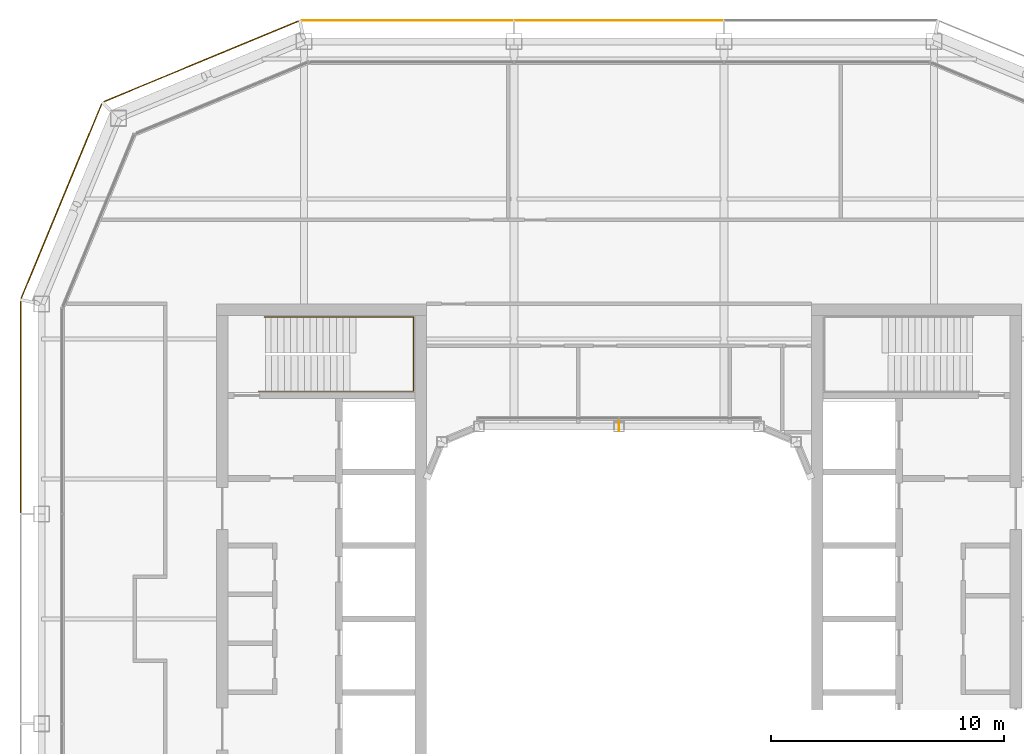
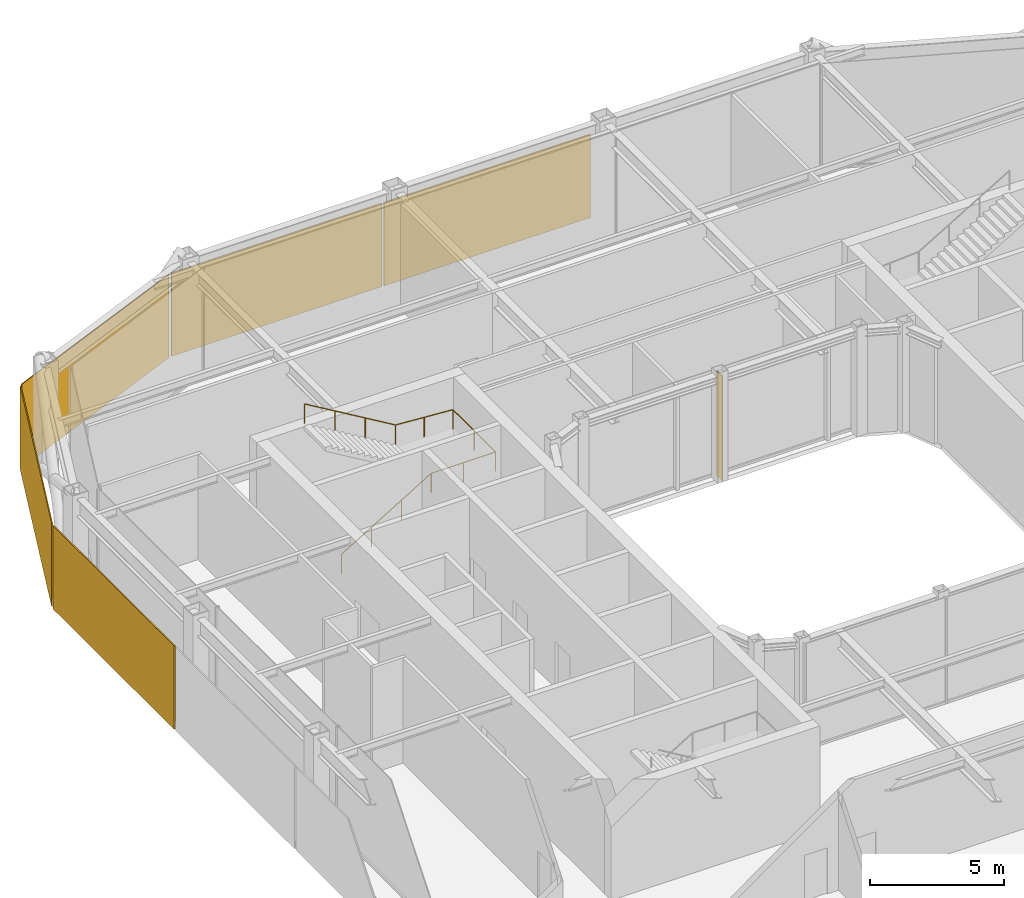
# One storey, part 16 of 17: 5 coverings, 1 railing, 1 shading device.
"""IFC4 building model written with IfcOpenShell, lengths in metres."""

from ifc_helpers import new_model, si_unit, direction, frame, origin, origin_2d, place, context, subcontext, project, spatial, rectangle, circle, extrude, material, layer, layer_set, type_object, element, save


model = new_model("IFC4")

# Units and contexts
model_context = context("Model", 3, precision=1e-05, world=origin(), true_north=direction((0.0, 1.0)))
body_context = subcontext(model_context, "Body", "Model", "MODEL_VIEW")
ifc_project = project(units=[si_unit("LENGTHUNIT", "METRE"), si_unit("AREAUNIT", "SQUARE_METRE"), si_unit("VOLUMEUNIT", "CUBIC_METRE"), si_unit("PLANEANGLEUNIT", "RADIAN"), si_unit("MASSUNIT", "GRAM", prefix="KILO")], contexts=[model_context])

# Site, building, storey
site_placement = place(None, origin())
site = spatial("IfcSite", under=ifc_project, at=site_placement, CompositionType="ELEMENT")
building_placement = place(site_placement, origin())
building = spatial("IfcBuilding", under=site, at=building_placement, Name="Siwar Civic Tower", CompositionType="ELEMENT")
storey_placement = place(building_placement, frame((0.0, 0.0, 348.199951171875)))
storey = spatial("IfcBuildingStorey", under=building, at=storey_placement, Name="L75", CompositionType="ELEMENT", Elevation=348.199951171875)

# Railing
ifc_material_1 = material(Name="Stainless steel", Category="steel")
railing_type = type_object("IfcRailingType", Name="CORE-STAIR-HANDRAIL", PredefinedType="HANDRAIL", material=ifc_material_1)
railing_placement = place(storey_placement, frame((-15.449951171875, 9.758056640625, 0.166748046875)))
element("IfcRailing", 1, at=railing_placement, inside=storey, type_object=railing_type, Name="Stair handrail ST1", PredefinedType="HANDRAIL", context=body_context, shape_type="SweptSolid", body=[
    extrude(circle(Radius=0.02001953125, at=origin_2d()), frame((0.0, 0.0, 0.8798828125), z_axis=(0.856384976194, 0.0, 0.516337847296), x_axis=(0.0, 1.0, 0.0)), (0.0, 0.0, 1.0), 4.518798828125),
    extrude(circle(Radius=0.02001953125, at=origin_2d()), frame((3.869873046875, 0.0, 3.213134765625), z_axis=(1.0, 0.0, 0.0), x_axis=(0.0, 1.0, 0.0)), (0.0, 0.0, 1.0), 2.77197265625),
    extrude(circle(Radius=0.02001953125, at=origin_2d()), frame((6.641845703125, 0.0, 3.213134765625), z_axis=(0.0, 1.0, 0.0), x_axis=(-1.0, 0.0, 0.0)), (0.0, 0.0, 1.0), 3.183837890625),
    extrude(circle(Radius=0.02001953125, at=origin_2d()), frame((6.641845703125, 3.183837890625, 3.213134765625), z_axis=(-0.997732526271, 0.0, 0.067303833624), x_axis=(0.0, -1.0, 0.0)), (0.0, 0.0, 1.0), 2.4775390625),
    extrude(circle(Radius=0.02001953125, at=origin_2d()), frame((4.169921875, 3.183837890625, 3.3798828125), z_axis=(-0.859296244711, 0.0, 0.511478214419), x_axis=(0.0, -1.0, 0.0)), (0.0, 0.0, 1.0), 4.561767578125),
    extrude(circle(Radius=0.02001953125, at=origin_2d()), origin(), (0.0, 0.0, 1.0), 0.85986328125),
    extrude(circle(Radius=0.02001953125, at=origin_2d()), frame((1.2900390625, 0.0, 0.77783203125)), (0.0, 0.0, 1.0), 0.85986328125),
    extrude(circle(Radius=0.02001953125, at=origin_2d()), frame((2.579833984375, 0.0, 1.555419921875)), (0.0, 0.0, 1.0), 0.85986328125),
    extrude(circle(Radius=0.02001953125, at=origin_2d()), frame((3.869873046875, 0.0, 2.333251953125)), (0.0, 0.0, 1.0), 0.85986328125),
    extrude(circle(Radius=0.02001953125, at=origin_2d()), frame((5.255859375, 0.0, 2.333251953125)), (0.0, 0.0, 1.0), 0.85986328125),
    extrude(circle(Radius=0.02001953125, at=origin_2d()), frame((6.641845703125, 0.0, 2.333251953125)), (0.0, 0.0, 1.0), 0.85986328125),
    extrude(circle(Radius=0.02001953125, at=origin_2d()), frame((6.641845703125, 1.591796875, 2.333251953125)), (0.0, 0.0, 1.0), 0.85986328125),
    extrude(circle(Radius=0.02001953125, at=origin_2d()), frame((6.641845703125, 3.183837890625, 2.333251953125)), (0.0, 0.0, 1.0), 0.85986328125),
    extrude(circle(Radius=0.02001953125, at=origin_2d()), frame((5.40576171875, 3.183837890625, 2.41650390625)), (0.0, 0.0, 1.0), 0.85986328125),
    extrude(circle(Radius=0.02001953125, at=origin_2d()), frame((4.169921875, 3.183837890625, 2.5)), (0.0, 0.0, 1.0), 0.85986328125),
    extrude(circle(Radius=0.02001953125, at=origin_2d()), frame((2.86328125, 3.183837890625, 3.27783203125)), (0.0, 0.0, 1.0), 0.85986328125),
    extrude(circle(Radius=0.02001953125, at=origin_2d()), frame((1.556640625, 3.183837890625, 4.055419921875)), (0.0, 0.0, 1.0), 0.85986328125),
    extrude(circle(Radius=0.02001953125, at=origin_2d()), frame((0.25, 3.183837890625, 4.833251953125)), (0.0, 0.0, 1.0), 0.85986328125),
])

# Shading device
ifc_material_2 = material(Name="Aluminium 6063-T6", Category="aluminium")
ifc_layer_1 = layer(ifc_material_2, 0.02001953125)
ifc_layer_set_1 = layer_set([ifc_layer_1], Name="Aluminium 6063-T6")
shading_device_type = type_object("IfcShadingDeviceType", Name="ENV-FIN", PredefinedType="JALOUSIE", material=ifc_layer_set_1)
shading_device_placement = place(storey_placement, frame((0.0, 8.27001953125, 0.0), z_axis=(0.0, 0.0, 1.0), x_axis=(-1.0, 0.0, 0.0)))
element("IfcShadingDevice", 2, at=shading_device_placement, inside=storey, type_object=shading_device_type, Name="SUNSHADE fin WN 1", PredefinedType="JALOUSIE", context=body_context, shape_type="SweptSolid", body=[
    extrude(rectangle(XDim=0.02001953125, YDim=0.449951171875, at=origin_2d()), origin(), (0.0, 0.0, 1.0), 4.800048828125),
])

# Coverings
ifc_material_3 = material(Name="Perforated aluminium cassette, pale metal", Category="aluminium")
ifc_layer_2 = layer(ifc_material_3, 0.0400390625)
ifc_layer_set_2 = layer_set([ifc_layer_2], Name="Perforated aluminium cassette, pale metal")
covering_type_1 = type_object("IfcCoveringType", Name="ENV-OUTER SKIN OS-1", PredefinedType="CLADDING", material=ifc_layer_set_2)
covering_1_placement = place(storey_placement, frame((0.0, 25.64990234375, -0.2001953125), z_axis=(0.0, 0.0, 1.0), x_axis=(-1.0, 0.0, 0.0)))
element("IfcCovering", 3, at=covering_1_placement, inside=storey, type_object=covering_type_1, Name="OUTER SKIN OS-1 N 2", PredefinedType="CLADDING", context=body_context, shape_type="SweptSolid", body=[
    extrude(rectangle(XDim=8.89990234375, YDim=0.0400390625, at=origin_2d()), origin(), (0.0, 0.0, 1.0), 3.800048828125),
])
covering_2_placement = place(storey_placement, frame((-9.07958984375, 25.64990234375, -0.2001953125), z_axis=(0.0, 0.0, 1.0), x_axis=(-1.0, 0.0, 0.0)))
element("IfcCovering", 4, at=covering_2_placement, inside=storey, type_object=covering_type_1, Name="OUTER SKIN OS-1 N 3", PredefinedType="CLADDING", context=body_context, shape_type="SweptSolid", body=[
    extrude(rectangle(XDim=9.05908203125, YDim=0.0400390625, at=origin_2d()), origin(), (0.0, 0.0, 1.0), 3.800048828125),
])
covering_3_placement = place(storey_placement, frame((-17.911376953125, 23.89697265625, -0.2001953125), z_axis=(0.0, 0.0, 1.0), x_axis=(-0.923879532511, -0.382683432365, 0.0)))
element("IfcCovering", 5, at=covering_3_placement, inside=storey, type_object=covering_type_1, Name="OUTER SKIN OS-1 NW1 1", PredefinedType="CLADDING", context=body_context, shape_type="SweptSolid", body=[
    extrude(rectangle(XDim=9.022216796875, YDim=0.0400390625, at=origin_2d()), origin(), (0.0, 0.0, 1.0), 3.800048828125),
])
ifc_material_4 = material(Name="Perforated aluminium cassette, pale metal", Category="aluminium")
ifc_layer_3 = layer(ifc_material_4, 0.044921875)
ifc_layer_set_3 = layer_set([ifc_layer_3], Name="Perforated aluminium cassette, pale metal")
covering_type_2 = type_object("IfcCoveringType", Name="ENV-OUTER SKIN OS-2", PredefinedType="CLADDING", material=ifc_layer_set_3)
covering_4_placement = place(storey_placement, frame((-23.89697265625, 17.911376953125, -0.2001953125), z_axis=(0.0, 0.0, 1.0), x_axis=(-0.382683432365, -0.923879532511, 0.0)))
element("IfcCovering", 6, at=covering_4_placement, inside=storey, type_object=covering_type_2, Name="OUTER SKIN OS-2 NW2 1", PredefinedType="CLADDING", context=body_context, shape_type="SweptSolid", body=[
    extrude(rectangle(XDim=9.022216796875, YDim=0.044921875, at=origin_2d()), origin(), (0.0, 0.0, 1.0), 3.800048828125),
])
ifc_material_5 = material(Name="Perforated aluminium cassette, pale metal", Category="aluminium")
ifc_layer_4 = layer(ifc_material_5, 0.050048828125)
ifc_layer_set_4 = layer_set([ifc_layer_4], Name="Perforated aluminium cassette, pale metal")
covering_type_3 = type_object("IfcCoveringType", Name="ENV-OUTER SKIN OS-3", PredefinedType="CLADDING", material=ifc_layer_set_4)
covering_5_placement = place(storey_placement, frame((-25.64990234375, 9.07958984375, -0.2001953125), z_axis=(0.0, 0.0, 1.0), x_axis=(0.0, -1.0, 0.0)))
element("IfcCovering", 7, at=covering_5_placement, inside=storey, type_object=covering_type_3, Name="OUTER SKIN OS-3 W 1", PredefinedType="CLADDING", context=body_context, shape_type="SweptSolid", body=[
    extrude(rectangle(XDim=9.05908203125, YDim=0.050048828125, at=origin_2d()), origin(), (0.0, 0.0, 1.0), 3.800048828125),
])

save(model, "model.ifc")
